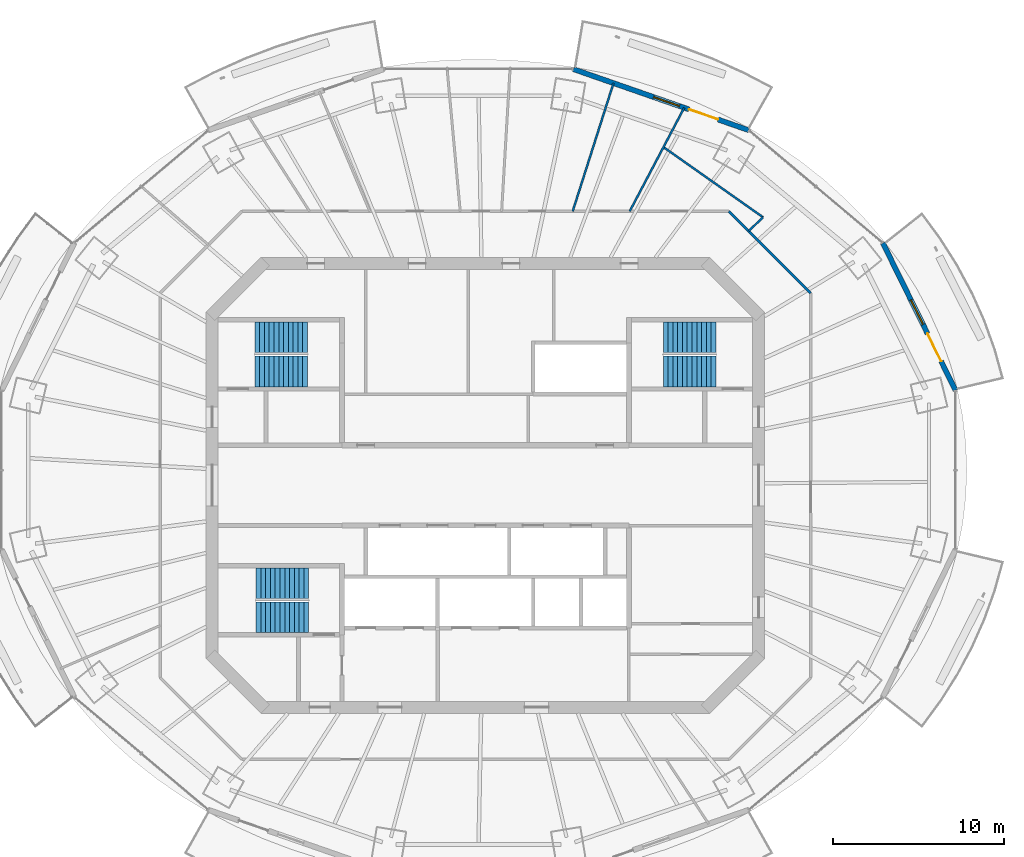
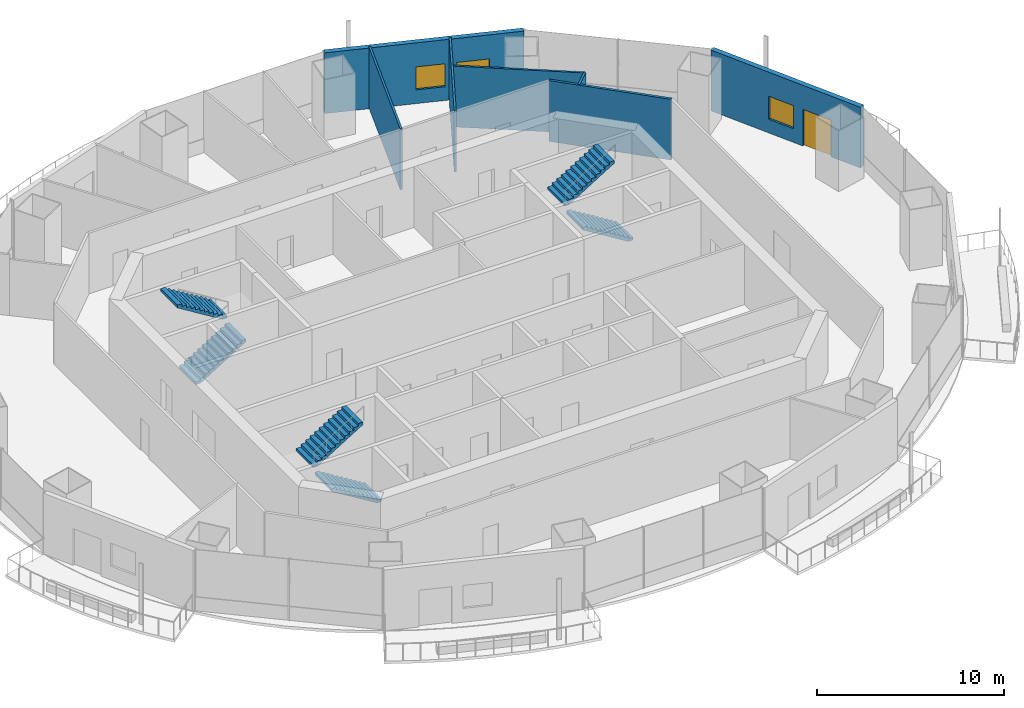
# One storey, part 11 of 16: 7 walls, 6 stair flights, 2 doors, 2 windows, 4 openings, 3 elements without a shape of their own.
"""IFC4 building model written with IfcOpenShell, lengths in metres."""

from ifc_helpers import new_model, si_unit, direction, frame, frame_2d, origin, place, context, subcontext, project, spatial, polyline, rectangle, outline, extrude, material, layer, layer_set, type_object, element, fill, aggregate, save


model = new_model("IFC4")

# Units and contexts
model_context = context("Model", 3, precision=1e-05, world=origin(), true_north=direction((0.0, 1.0)))
body_context = subcontext(model_context, "Body", "Model", "MODEL_VIEW")
ifc_project = project(units=[si_unit("LENGTHUNIT", "METRE"), si_unit("AREAUNIT", "SQUARE_METRE"), si_unit("VOLUMEUNIT", "CUBIC_METRE"), si_unit("PLANEANGLEUNIT", "RADIAN"), si_unit("MASSUNIT", "GRAM", prefix="KILO")], contexts=[model_context])

# Site, building, storey
site_placement = place(None, origin())
site = spatial("IfcSite", under=ifc_project, at=site_placement, CompositionType="ELEMENT")
building_placement = place(site_placement, origin())
building = spatial("IfcBuilding", under=site, at=building_placement, Name="Marenthal Gate Tower", CompositionType="ELEMENT")
storey_placement = place(building_placement, frame((0.0, 0.0, 296.949951171875)))
storey = spatial("IfcBuildingStorey", under=building, at=storey_placement, Name="L66", CompositionType="ELEMENT", Elevation=296.949951171875)

# Walls
ifc_material_1 = material(Name="Gypsum board on steel studs", Category="steel")
ifc_layer_1 = layer(ifc_material_1, 0.1201171875)
ifc_layer_set_1 = layer_set([ifc_layer_1], Name="Partition 120")
wall_type_1 = type_object("IfcWallType", Name="Partition 120", PredefinedType="PARTITIONING", material=ifc_layer_set_1)
wall_1_placement = place(storey_placement, frame((5.1103515625, 16.050048828125, 0.0), z_axis=(0.0, 0.0, 1.0), x_axis=(0.303413314571, 0.952859045474, 0.0)))
element("IfcWall", 1, at=wall_1_placement, inside=storey, type_object=wall_type_1, Name="Partition wall 62", PredefinedType="PARTITIONING", context=body_context, shape_type="SweptSolid", body=[
    extrude(rectangle(XDim=7.88232421875, YDim=0.1201171875, at=frame_2d((3.941162109375, 0.0))), origin(), (0.0, 0.0, 1.0), 3.969970703125),
])
wall_2_placement = place(storey_placement, frame((8.4482421875, 16.050048828125, 0.0), z_axis=(0.0, 0.0, 1.0), x_axis=(0.465797782517, 0.88489119433, 0.0)))
element("IfcWall", 2, at=wall_2_placement, inside=storey, type_object=wall_type_1, Name="Partition wall 63", PredefinedType="PARTITIONING", context=body_context, shape_type="SweptSolid", body=[
    extrude(rectangle(XDim=6.8583984375, YDim=0.1201171875, at=frame_2d((3.42919921875, 0.0))), origin(), (0.0, 0.0, 1.0), 3.969970703125),
])
wall_3_placement = place(storey_placement, frame((16.2578125, 15.7060546875, 0.0), z_axis=(0.0, 0.0, 1.0), x_axis=(-0.817482799525, 0.57595301239, 0.0)))
element("IfcWall", 3, at=wall_3_placement, inside=storey, type_object=wall_type_1, Name="Partition wall 67", PredefinedType="PARTITIONING", context=body_context, shape_type="SweptSolid", body=[
    extrude(rectangle(XDim=7.13037109375, YDim=0.1201171875, at=frame_2d((3.565185546875, 0.0))), origin(), (0.0, 0.0, 1.0), 3.969970703125),
])
wall_4_placement = place(storey_placement, frame((16.2578125, 15.7060546875, 0.0), z_axis=(0.0, 0.0, 1.0), x_axis=(-0.719134696688, -0.694870698778, 0.0)))
element("IfcWall", 4, at=wall_4_placement, inside=storey, type_object=wall_type_1, Name="Partition wall 68", PredefinedType="PARTITIONING", context=body_context, shape_type="SweptSolid", body=[
    extrude(rectangle(XDim=1.167236328125, YDim=0.1201171875, at=frame_2d((0.58349609375, 0.0))), origin(), (0.0, 0.0, 1.0), 3.969970703125),
])
ifc_material_2 = material(Name="Gypsum board on steel studs", Category="steel")
ifc_layer_2 = layer(ifc_material_2, 0.14990234375)
ifc_layer_set_2 = layer_set([ifc_layer_2], Name="Partition 150")
wall_type_2 = type_object("IfcWallType", Name="Partition 150", PredefinedType="PARTITIONING", material=ifc_layer_set_2)
wall_5_placement = place(storey_placement, frame((14.263427734375, 16.050048828125, 0.0), z_axis=(0.0, 0.0, 1.0), x_axis=(0.707106781187, -0.707106781187, 0.0)))
element("IfcWall", 5, at=wall_5_placement, inside=storey, type_object=wall_type_2, Name="Partition wall 66", PredefinedType="PARTITIONING", context=body_context, shape_type="SweptSolid", body=[
    extrude(rectangle(XDim=6.769287109375, YDim=0.14990234375, at=frame_2d((3.384765625, 0.0))), origin(), (0.0, 0.0, 1.0), 3.969970703125),
])

# Wall, openings, door, window
ifc_material_3 = material(Name="Terracotta cladding on insulated concrete-block backing", Category="masonry")
ifc_layer_3 = layer(ifc_material_3, 0.300048828125)
ifc_layer_set_3 = layer_set([ifc_layer_3], Name="Terracotta facade wall 300")
wall_type_3 = type_object("IfcWallType", Name="Terracotta facade wall 300", PredefinedType="SOLIDWALL", material=ifc_layer_set_3)
wall_6_placement = place(storey_placement, frame((27.52880859375, 5.570068359375, 0.0), z_axis=(0.0, 0.0, 1.0), x_axis=(-0.441998272381, 0.897015901315, 0.0)))
wall_6 = element("IfcWall", 6, at=wall_6_placement, inside=storey, type_object=wall_type_3, Name="Terracotta facade wall L66 bay 1", PredefinedType="SOLIDWALL", context=body_context, shape_type="SweptSolid", body=[
    extrude(rectangle(XDim=9.619873046875, YDim=0.300048828125, at=frame_2d((4.81005859375, 0.0))), origin(), (0.0, 0.0, 1.0), 3.969970703125),
])
opening_1_placement = place(wall_6_placement, frame((1.89990234375, 0.0, 0.0)))
opening_1 = element("IfcOpeningElement", 7, at=opening_1_placement, cuts=wall_6, Name="Opening BD-L66-01", PredefinedType="OPENING", context=body_context, shape_type="SweptSolid", body=[
    extrude(rectangle(XDim=1.800048828125, YDim=2.39990234375, at=frame_2d((0.89990234375, 1.199951171875))), frame((0.0, 0.16015625, 0.0), z_axis=(0.0, -1.0, 0.0), x_axis=(1.0, 0.0, 0.0)), (0.0, 0.0, 1.0), 0.320068359375),
])
opening_2_placement = place(wall_6_placement, frame((4.300048828125, 0.0, 0.89990234375)))
opening_2 = element("IfcOpeningElement", 8, at=opening_2_placement, cuts=wall_6, Name="Opening WN3-L66-01", PredefinedType="OPENING", context=body_context, shape_type="SweptSolid", body=[
    extrude(rectangle(XDim=1.60009765625, YDim=1.5, at=frame_2d((0.800048828125, 0.75))), frame((0.0, 0.16015625, 0.0), z_axis=(0.0, -1.0, 0.0), x_axis=(1.0, 0.0, 0.0)), (0.0, 0.0, 1.0), 0.320068359375),
])
ifc_material_4 = material(Name="Aluminium and glass", Category="aluminium")
door_type = type_object("IfcDoorType", Name="Balcony door 1800x2400", OperationType="DOUBLE_DOOR_SINGLE_SWING", PredefinedType="DOOR", material=ifc_material_4)
door_1_placement = place(opening_1_placement, origin())
door_1 = element("IfcDoor", 9, at=door_1_placement, inside=storey, type_object=door_type, Name="Balcony door L66 bay 1", OperationType="SINGLE_SWING_LEFT", OverallHeight=2.39990234375, OverallWidth=1.800048828125, PredefinedType="DOOR", context=body_context, shape_type="SweptSolid", body=[
    extrude(rectangle(XDim=1.800048828125, YDim=2.39990234375, at=frame_2d((0.89990234375, 1.199951171875))), frame((0.0, 0.02490234375, 0.0), z_axis=(0.0, -1.0, 0.0), x_axis=(1.0, 0.0, 0.0)), (0.0, 0.0, 1.0), 0.050048828125),
])
fill(opening_1, door_1)
ifc_material_5 = material(Name="Aluminium and glass", Category="aluminium")
window_type = type_object("IfcWindowType", Name="Window 1600x1500", PartitioningType="DOUBLE_PANEL_VERTICAL", PredefinedType="WINDOW", material=ifc_material_5)
window_1_placement = place(opening_2_placement, origin())
window_1 = element("IfcWindow", 10, at=window_1_placement, inside=storey, type_object=window_type, Name="Window L66 bay 1", OverallHeight=1.5, OverallWidth=1.60009765625, PartitioningType="SINGLE_PANEL", PredefinedType="WINDOW", context=body_context, shape_type="SweptSolid", body=[
    extrude(rectangle(XDim=1.60009765625, YDim=1.5, at=frame_2d((0.800048828125, 0.75))), frame((0.0, 0.030029296875, 0.0), z_axis=(0.0, -1.0, 0.0), x_axis=(1.0, 0.0, 0.0)), (0.0, 0.0, 1.0), 0.06005859375),
])
fill(opening_2, window_1)

wall_7_placement = place(storey_placement, frame((15.42041015625, 20.8037109375, 0.0), z_axis=(0.0, 0.0, 1.0), x_axis=(-0.944390086162, 0.328827257323, 0.0)))
wall_7 = element("IfcWall", 11, at=wall_7_placement, inside=storey, type_object=wall_type_3, Name="Terracotta facade wall L66 bay 3", PredefinedType="SOLIDWALL", context=body_context, shape_type="SweptSolid", body=[
    extrude(rectangle(XDim=10.86962890625, YDim=0.300048828125, at=frame_2d((5.434814453125, 0.0))), origin(), (0.0, 0.0, 1.0), 3.969970703125),
])
opening_3_placement = place(wall_7_placement, frame((1.89990234375, 0.0, 0.0)))
opening_3 = element("IfcOpeningElement", 12, at=opening_3_placement, cuts=wall_7, Name="Opening BD-L66-03", PredefinedType="OPENING", context=body_context, shape_type="SweptSolid", body=[
    extrude(rectangle(XDim=1.800048828125, YDim=2.39990234375, at=frame_2d((0.89990234375, 1.199951171875))), frame((0.0, 0.16015625, 0.0), z_axis=(0.0, -1.0, 0.0), x_axis=(1.0, 0.0, 0.0)), (0.0, 0.0, 1.0), 0.320068359375),
])
opening_4_placement = place(wall_7_placement, frame((4.300048828125, 0.0, 0.89990234375)))
opening_4 = element("IfcOpeningElement", 13, at=opening_4_placement, cuts=wall_7, Name="Opening WN3-L66-03", PredefinedType="OPENING", context=body_context, shape_type="SweptSolid", body=[
    extrude(rectangle(XDim=1.60009765625, YDim=1.5, at=frame_2d((0.800048828125, 0.75))), frame((0.0, 0.16015625, 0.0), z_axis=(0.0, -1.0, 0.0), x_axis=(1.0, 0.0, 0.0)), (0.0, 0.0, 1.0), 0.320068359375),
])
door_2_placement = place(opening_3_placement, origin())
door_2 = element("IfcDoor", 14, at=door_2_placement, inside=storey, type_object=door_type, Name="Balcony door L66 bay 3", OperationType="SINGLE_SWING_LEFT", OverallHeight=2.39990234375, OverallWidth=1.800048828125, PredefinedType="DOOR", context=body_context, shape_type="SweptSolid", body=[
    extrude(rectangle(XDim=1.800048828125, YDim=2.39990234375, at=frame_2d((0.89990234375, 1.199951171875))), frame((0.0, 0.02490234375, 0.0), z_axis=(0.0, -1.0, 0.0), x_axis=(1.0, 0.0, 0.0)), (0.0, 0.0, 1.0), 0.050048828125),
])
fill(opening_3, door_2)
window_2_placement = place(opening_4_placement, origin())
window_2 = element("IfcWindow", 15, at=window_2_placement, inside=storey, type_object=window_type, Name="Window L66 bay 3", OverallHeight=1.5, OverallWidth=1.60009765625, PartitioningType="SINGLE_PANEL", PredefinedType="WINDOW", context=body_context, shape_type="SweptSolid", body=[
    extrude(rectangle(XDim=1.60009765625, YDim=1.5, at=frame_2d((0.800048828125, 0.75))), frame((0.0, 0.030029296875, 0.0), z_axis=(0.0, -1.0, 0.0), x_axis=(1.0, 0.0, 0.0)), (0.0, 0.0, 1.0), 0.06005859375),
])
fill(opening_4, window_2)

# Stair, stair flights
ifc_material_6 = material(Name="Concrete 40 MPa", Category="concrete")
stair_type = type_object("IfcStairType", Name="Exit stair 1800", PredefinedType="HALF_TURN_STAIR", material=ifc_material_6)
stair_1_placement = place(storey_placement, origin())
stair_1 = element("IfcStair", 16, at=stair_1_placement, inside=storey, type_object=stair_type, Name="Stair ST1", PredefinedType="HALF_TURN_STAIR")
ifc_material_7 = material(Name="Concrete 40 MPa", Category="concrete")
stair_flight_type = type_object("IfcStairFlightType", Name="Stair flight 1800", PredefinedType="STRAIGHT", material=ifc_material_7)
stair_flight_1_placement = place(storey_placement, frame((-13.5, 6.675048828125, 0.0), z_axis=(0.0, 0.0, 1.0), x_axis=(1.0, 0.0, 0.0)))
stair_flight_1 = element("IfcStairFlight", 17, at=stair_flight_1_placement, type_object=stair_flight_type, Name="ST1 flight 1", NumberOfRisers=12, NumberOfTreads=11, PredefinedType="STRAIGHT", RiserHeight=0.172916667, TreadLength=0.28, context=body_context, shape_type="SweptSolid", body=[
    extrude(outline(polyline([(0.0, 0.0), (0.0, 0.1728515625), (0.280029296875, 0.1728515625), (0.280029296875, 0.345947265625), (0.56005859375, 0.345947265625), (0.56005859375, 0.518798828125), (0.840087890625, 0.518798828125), (0.840087890625, 0.691650390625), (1.1201171875, 0.691650390625), (1.1201171875, 0.864501953125), (1.39990234375, 0.864501953125), (1.39990234375, 1.03759765625), (1.679931640625, 1.03759765625), (1.679931640625, 1.21044921875), (1.9599609375, 1.21044921875), (1.9599609375, 1.38330078125), (2.239990234375, 1.38330078125), (2.239990234375, 1.55615234375), (2.52001953125, 1.55615234375), (2.52001953125, 1.729248046875), (2.800048828125, 1.729248046875), (2.800048828125, 1.902099609375), (3.080078125, 1.902099609375), (3.080078125, 2.074951171875), (3.080078125, 1.725830078125), (0.285400390625, 0.0), (0.0, 0.0)])), frame((0.0, 0.89990234375, 0.0), z_axis=(0.0, -1.0, 0.0), x_axis=(1.0, 0.0, 0.0)), (0.0, 0.0, 1.0), 1.800048828125),
])
stair_flight_2_placement = place(storey_placement, frame((-10.419921875, 8.675048828125, 2.074951171875), z_axis=(0.0, 0.0, 1.0), x_axis=(-1.0, 0.0, 0.0)))
stair_flight_2 = element("IfcStairFlight", 18, at=stair_flight_2_placement, type_object=stair_flight_type, Name="ST1 flight 2", NumberOfRisers=12, NumberOfTreads=11, PredefinedType="STRAIGHT", RiserHeight=0.172916667, TreadLength=0.28, context=body_context, shape_type="SweptSolid", body=[
    extrude(outline(polyline([(0.0, 0.0), (0.0, 0.1728515625), (0.280029296875, 0.1728515625), (0.280029296875, 0.345947265625), (0.56005859375, 0.345947265625), (0.56005859375, 0.518798828125), (0.840087890625, 0.518798828125), (0.840087890625, 0.691650390625), (1.1201171875, 0.691650390625), (1.1201171875, 0.864501953125), (1.39990234375, 0.864501953125), (1.39990234375, 1.03759765625), (1.679931640625, 1.03759765625), (1.679931640625, 1.21044921875), (1.9599609375, 1.21044921875), (1.9599609375, 1.38330078125), (2.239990234375, 1.38330078125), (2.239990234375, 1.55615234375), (2.52001953125, 1.55615234375), (2.52001953125, 1.729248046875), (2.800048828125, 1.729248046875), (2.800048828125, 1.902099609375), (3.080078125, 1.902099609375), (3.080078125, 2.074951171875), (3.080078125, 1.725830078125), (0.285400390625, 0.0), (0.0, 0.0)])), frame((0.0, 0.89990234375, 0.0), z_axis=(0.0, -1.0, 0.0), x_axis=(1.0, 0.0, 0.0)), (0.0, 0.0, 1.0), 1.800048828125),
])
aggregate(stair_1, [stair_flight_1, stair_flight_2])

stair_2_placement = place(storey_placement, origin())
stair_2 = element("IfcStair", 19, at=stair_2_placement, inside=storey, type_object=stair_type, Name="Stair ST2", PredefinedType="HALF_TURN_STAIR")
stair_flight_3_placement = place(storey_placement, frame((-10.35009765625, -7.72509765625, 0.0), z_axis=(0.0, 0.0, 1.0), x_axis=(-1.0, 0.0, 0.0)))
stair_flight_3 = element("IfcStairFlight", 20, at=stair_flight_3_placement, type_object=stair_flight_type, Name="ST2 flight 1", NumberOfRisers=12, NumberOfTreads=11, PredefinedType="STRAIGHT", RiserHeight=0.172916667, TreadLength=0.28, context=body_context, shape_type="SweptSolid", body=[
    extrude(outline(polyline([(0.0, 0.0), (0.0, 0.1728515625), (0.280029296875, 0.1728515625), (0.280029296875, 0.345947265625), (0.56005859375, 0.345947265625), (0.56005859375, 0.518798828125), (0.840087890625, 0.518798828125), (0.840087890625, 0.691650390625), (1.1201171875, 0.691650390625), (1.1201171875, 0.864501953125), (1.39990234375, 0.864501953125), (1.39990234375, 1.03759765625), (1.679931640625, 1.03759765625), (1.679931640625, 1.21044921875), (1.9599609375, 1.21044921875), (1.9599609375, 1.38330078125), (2.239990234375, 1.38330078125), (2.239990234375, 1.55615234375), (2.52001953125, 1.55615234375), (2.52001953125, 1.729248046875), (2.800048828125, 1.729248046875), (2.800048828125, 1.902099609375), (3.080078125, 1.902099609375), (3.080078125, 2.074951171875), (3.080078125, 1.725830078125), (0.285400390625, 0.0), (0.0, 0.0)])), frame((0.0, 0.89990234375, 0.0), z_axis=(0.0, -1.0, 0.0), x_axis=(1.0, 0.0, 0.0)), (0.0, 0.0, 1.0), 1.800048828125),
])
stair_flight_4_placement = place(storey_placement, frame((-13.429931640625, -5.72509765625, 2.074951171875), z_axis=(0.0, 0.0, 1.0), x_axis=(1.0, 0.0, 0.0)))
stair_flight_4 = element("IfcStairFlight", 21, at=stair_flight_4_placement, type_object=stair_flight_type, Name="ST2 flight 2", NumberOfRisers=12, NumberOfTreads=11, PredefinedType="STRAIGHT", RiserHeight=0.172916667, TreadLength=0.28, context=body_context, shape_type="SweptSolid", body=[
    extrude(outline(polyline([(0.0, 0.0), (0.0, 0.1728515625), (0.280029296875, 0.1728515625), (0.280029296875, 0.345947265625), (0.56005859375, 0.345947265625), (0.56005859375, 0.518798828125), (0.840087890625, 0.518798828125), (0.840087890625, 0.691650390625), (1.1201171875, 0.691650390625), (1.1201171875, 0.864501953125), (1.39990234375, 0.864501953125), (1.39990234375, 1.03759765625), (1.679931640625, 1.03759765625), (1.679931640625, 1.21044921875), (1.9599609375, 1.21044921875), (1.9599609375, 1.38330078125), (2.239990234375, 1.38330078125), (2.239990234375, 1.55615234375), (2.52001953125, 1.55615234375), (2.52001953125, 1.729248046875), (2.800048828125, 1.729248046875), (2.800048828125, 1.902099609375), (3.080078125, 1.902099609375), (3.080078125, 2.074951171875), (3.080078125, 1.725830078125), (0.285400390625, 0.0), (0.0, 0.0)])), frame((0.0, 0.89990234375, 0.0), z_axis=(0.0, -1.0, 0.0), x_axis=(1.0, 0.0, 0.0)), (0.0, 0.0, 1.0), 1.800048828125),
])
aggregate(stair_2, [stair_flight_3, stair_flight_4])

stair_3_placement = place(storey_placement, origin())
stair_3 = element("IfcStair", 22, at=stair_3_placement, inside=storey, type_object=stair_type, Name="Stair ST3", PredefinedType="HALF_TURN_STAIR")
stair_flight_5_placement = place(storey_placement, frame((13.5, 6.675048828125, 0.0), z_axis=(0.0, 0.0, 1.0), x_axis=(-1.0, 0.0, 0.0)))
stair_flight_5 = element("IfcStairFlight", 23, at=stair_flight_5_placement, type_object=stair_flight_type, Name="ST3 flight 1", NumberOfRisers=12, NumberOfTreads=11, PredefinedType="STRAIGHT", RiserHeight=0.172916667, TreadLength=0.28, context=body_context, shape_type="SweptSolid", body=[
    extrude(outline(polyline([(0.0, 0.0), (0.0, 0.1728515625), (0.280029296875, 0.1728515625), (0.280029296875, 0.345947265625), (0.56005859375, 0.345947265625), (0.56005859375, 0.518798828125), (0.840087890625, 0.518798828125), (0.840087890625, 0.691650390625), (1.1201171875, 0.691650390625), (1.1201171875, 0.864501953125), (1.39990234375, 0.864501953125), (1.39990234375, 1.03759765625), (1.679931640625, 1.03759765625), (1.679931640625, 1.21044921875), (1.9599609375, 1.21044921875), (1.9599609375, 1.38330078125), (2.239990234375, 1.38330078125), (2.239990234375, 1.55615234375), (2.52001953125, 1.55615234375), (2.52001953125, 1.729248046875), (2.800048828125, 1.729248046875), (2.800048828125, 1.902099609375), (3.080078125, 1.902099609375), (3.080078125, 2.074951171875), (3.080078125, 1.725830078125), (0.285400390625, 0.0), (0.0, 0.0)])), frame((0.0, 0.89990234375, 0.0), z_axis=(0.0, -1.0, 0.0), x_axis=(1.0, 0.0, 0.0)), (0.0, 0.0, 1.0), 1.800048828125),
])
stair_flight_6_placement = place(storey_placement, frame((10.419921875, 8.675048828125, 2.074951171875), z_axis=(0.0, 0.0, 1.0), x_axis=(1.0, 0.0, 0.0)))
stair_flight_6 = element("IfcStairFlight", 24, at=stair_flight_6_placement, type_object=stair_flight_type, Name="ST3 flight 2", NumberOfRisers=12, NumberOfTreads=11, PredefinedType="STRAIGHT", RiserHeight=0.172916667, TreadLength=0.28, context=body_context, shape_type="SweptSolid", body=[
    extrude(outline(polyline([(0.0, 0.0), (0.0, 0.1728515625), (0.280029296875, 0.1728515625), (0.280029296875, 0.345947265625), (0.56005859375, 0.345947265625), (0.56005859375, 0.518798828125), (0.840087890625, 0.518798828125), (0.840087890625, 0.691650390625), (1.1201171875, 0.691650390625), (1.1201171875, 0.864501953125), (1.39990234375, 0.864501953125), (1.39990234375, 1.03759765625), (1.679931640625, 1.03759765625), (1.679931640625, 1.21044921875), (1.9599609375, 1.21044921875), (1.9599609375, 1.38330078125), (2.239990234375, 1.38330078125), (2.239990234375, 1.55615234375), (2.52001953125, 1.55615234375), (2.52001953125, 1.729248046875), (2.800048828125, 1.729248046875), (2.800048828125, 1.902099609375), (3.080078125, 1.902099609375), (3.080078125, 2.074951171875), (3.080078125, 1.725830078125), (0.285400390625, 0.0), (0.0, 0.0)])), frame((0.0, 0.89990234375, 0.0), z_axis=(0.0, -1.0, 0.0), x_axis=(1.0, 0.0, 0.0)), (0.0, 0.0, 1.0), 1.800048828125),
])
aggregate(stair_3, [stair_flight_5, stair_flight_6])

save(model, "model.ifc")
